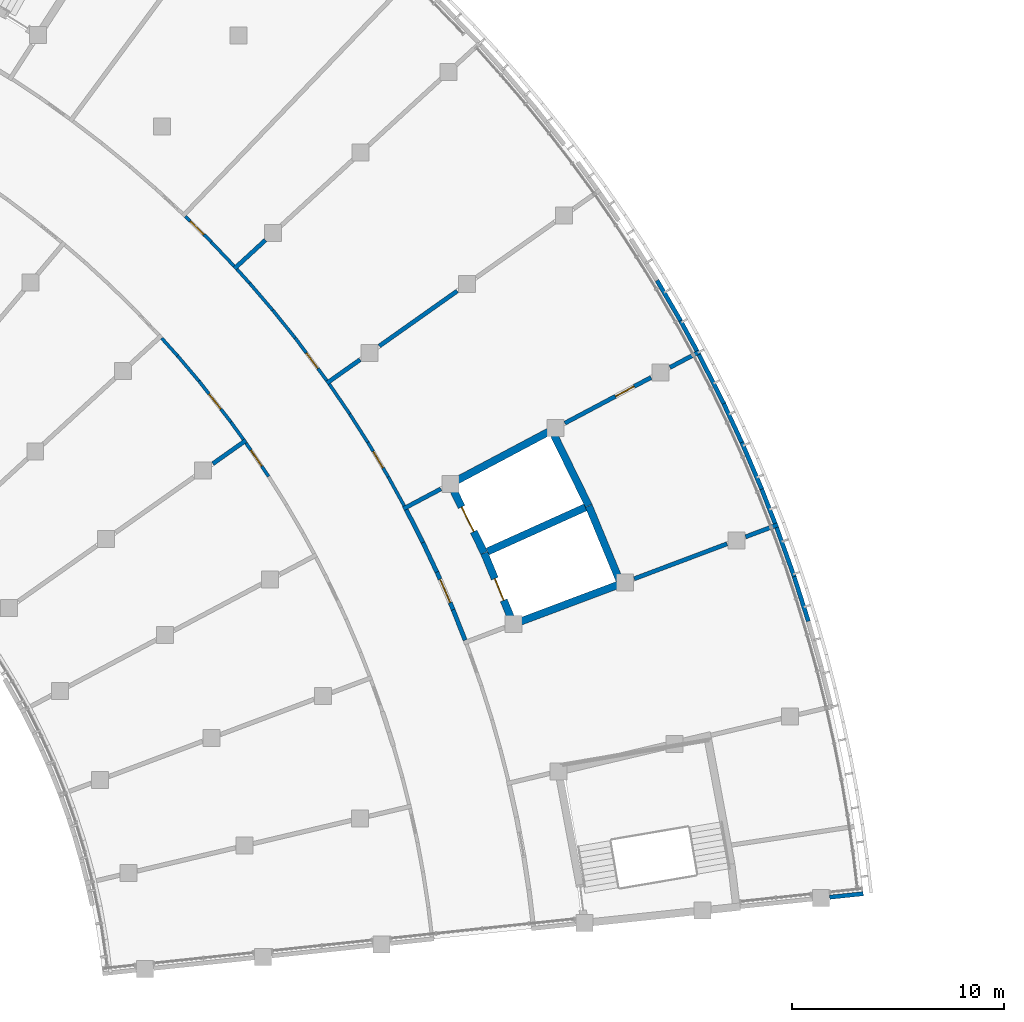
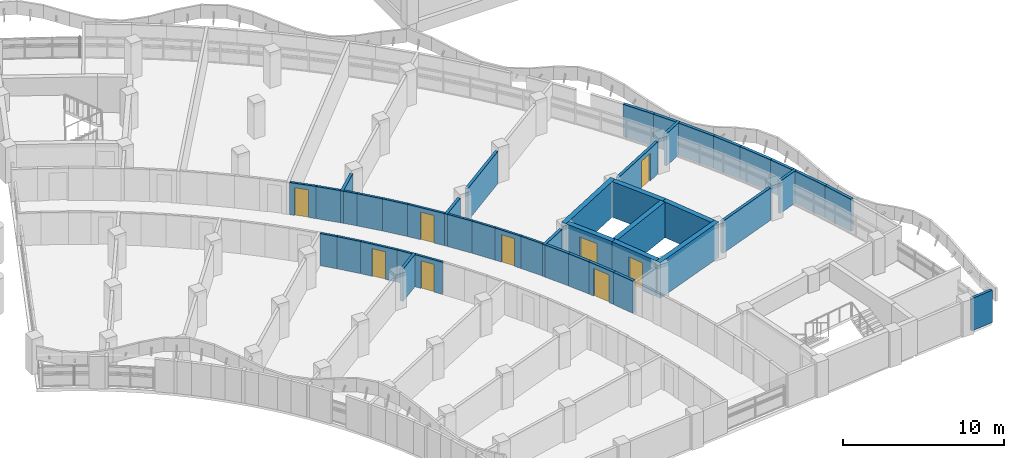
# One storey, part 53 of 89: 44 walls, 9 doors, 9 openings.
"""IFC4 building model written with IfcOpenShell, lengths in metres."""

from ifc_helpers import new_model, si_unit, direction, frame, frame_2d, origin, place, context, subcontext, project, spatial, rectangle, extrude, material, layer, layer_set, type_object, element, fill, save


model = new_model("IFC4")

# Units and contexts
model_context = context("Model", 3, precision=1e-05, world=origin(), true_north=direction((0.0, 1.0)))
body_context = subcontext(model_context, "Body", "Model", "MODEL_VIEW")
ifc_project = project(units=[si_unit("LENGTHUNIT", "METRE"), si_unit("AREAUNIT", "SQUARE_METRE"), si_unit("VOLUMEUNIT", "CUBIC_METRE"), si_unit("PLANEANGLEUNIT", "RADIAN"), si_unit("MASSUNIT", "GRAM", prefix="KILO")], contexts=[model_context])

# Site, building, storey
site_placement = place(None, origin())
site = spatial("IfcSite", under=ifc_project, at=site_placement, CompositionType="ELEMENT")
building_placement = place(site_placement, origin())
building = spatial("IfcBuilding", under=site, at=building_placement, Name="Bougainvillea Quay General Hospital", CompositionType="ELEMENT")
storey_placement = place(building_placement, frame((0.0, 0.0, 9.89990234375)))
storey = spatial("IfcBuildingStorey", under=building, at=storey_placement, Name="L01M", CompositionType="ELEMENT", Elevation=9.89990234375)

# Wall, opening, door
ifc_material_1 = material(Name="Gypsum board partition on steel studs, insulated", Category="steel")
ifc_layer_1 = layer(ifc_material_1, 0.14990234375)
ifc_layer_set_1 = layer_set([ifc_layer_1], Name="Gypsum board partition on steel studs, insulated")
wall_type_1 = type_object("IfcWallType", Name="Partition 150 Gypsum board partition EI 60", PredefinedType="PARTITIONING", material=ifc_layer_set_1)
wall_1_placement = place(storey_placement, frame((152.076416015625, 55.484130859375, 0.0), z_axis=(0.0, 0.0, 1.0), x_axis=(0.595818468786, -0.803119139514, 0.0)))
wall_1 = element("IfcWall", 1, at=wall_1_placement, inside=storey, type_object=wall_type_1, Name="Partition 150 mm EI 60", PredefinedType="PARTITIONING", context=body_context, shape_type="SweptSolid", body=[
    extrude(rectangle(XDim=2.4990234375, YDim=0.14990234375, at=frame_2d((1.24951171875, 0.0))), origin(), (0.0, 0.0, 1.0), 2.4501953125),
])
opening_1_placement = place(wall_1_placement, frame((0.88623046875, 0.0, 0.0)))
opening_1 = element("IfcOpeningElement", 2, at=opening_1_placement, cuts=wall_1, Name="Opening L01M.190", PredefinedType="OPENING", context=body_context, shape_type="SweptSolid", body=[
    extrude(rectangle(XDim=0.89990234375, YDim=2.10009765625, at=frame_2d((0.449951171875, 1.050048828125))), frame((0.0, 0.0849609375, 0.0), z_axis=(0.0, -1.0, 0.0), x_axis=(1.0, 0.0, 0.0)), (0.0, 0.0, 1.0), 0.169921875),
])
ifc_material_2 = material(Name="Solid-core timber door leaf in steel frame", Category="steel")
door_type_1 = type_object("IfcDoorType", Name="Single leaf door 900x2100 FD30S", OperationType="NOTDEFINED", PredefinedType="DOOR", material=ifc_material_2)
door_1_placement = place(opening_1_placement, origin())
door_1 = element("IfcDoor", 3, at=door_1_placement, inside=storey, type_object=door_type_1, Name="DT16 L01M.190", OperationType="SINGLE_SWING_RIGHT", OverallHeight=2.10009765625, OverallWidth=0.89990234375, PredefinedType="DOOR", context=body_context, shape_type="SweptSolid", body=[
    extrude(rectangle(XDim=0.89990234375, YDim=2.10009765625, at=frame_2d((0.449951171875, 1.050048828125))), frame((0.0, 0.02490234375, 0.0), z_axis=(0.0, -1.0, 0.0), x_axis=(1.0, 0.0, 0.0)), (0.0, 0.0, 1.0), 0.050048828125),
])
fill(opening_1, door_1)

wall_2_placement = place(storey_placement, frame((147.5419921875, 53.462158203125, 0.0), z_axis=(0.0, 0.0, 1.0), x_axis=(0.614656813444, -0.788794651153, 0.0)))
wall_2 = element("IfcWall", 4, at=wall_2_placement, inside=storey, type_object=wall_type_1, Name="Partition 150 mm EI 60", PredefinedType="PARTITIONING", context=body_context, shape_type="SweptSolid", body=[
    extrude(rectangle(XDim=2.45361328125, YDim=0.14990234375, at=frame_2d((1.226806640625, 0.0))), origin(), (0.0, 0.0, 1.0), 2.4501953125),
])
opening_2_placement = place(wall_2_placement, frame((0.77685546875, 0.0, 0.0)))
opening_2 = element("IfcOpeningElement", 5, at=opening_2_placement, cuts=wall_2, Name="Opening L01M.196", PredefinedType="OPENING", context=body_context, shape_type="SweptSolid", body=[
    extrude(rectangle(XDim=0.89990234375, YDim=2.10009765625, at=frame_2d((0.449951171875, 1.050048828125))), frame((0.0, 0.0849609375, 0.0), z_axis=(0.0, -1.0, 0.0), x_axis=(1.0, 0.0, 0.0)), (0.0, 0.0, 1.0), 0.169921875),
])
door_2_placement = place(opening_2_placement, frame((0.89990234375, 0.0, 0.0), z_axis=(0.0, 0.0, 1.0), x_axis=(-1.0, 0.0, 0.0)))
door_2 = element("IfcDoor", 6, at=door_2_placement, inside=storey, type_object=door_type_1, Name="DT16 L01M.196", OperationType="SINGLE_SWING_RIGHT", OverallHeight=2.10009765625, OverallWidth=0.89990234375, PredefinedType="DOOR", context=body_context, shape_type="SweptSolid", body=[
    extrude(rectangle(XDim=0.89990234375, YDim=2.10009765625, at=frame_2d((0.449951171875, 1.050048828125))), frame((0.0, 0.02490234375, 0.0), z_axis=(0.0, -1.0, 0.0), x_axis=(1.0, 0.0, 0.0)), (0.0, 0.0, 1.0), 0.050048828125),
])
fill(opening_2, door_2)

wall_3_placement = place(storey_placement, frame((149.757080078125, 50.5400390625, 0.0), z_axis=(0.0, 0.0, 1.0), x_axis=(0.561748993102, -0.827307723129, 0.0)))
wall_3 = element("IfcWall", 7, at=wall_3_placement, inside=storey, type_object=wall_type_1, Name="Partition 150 mm EI 60", PredefinedType="PARTITIONING", context=body_context, shape_type="SweptSolid", body=[
    extrude(rectangle(XDim=1.90478515625, YDim=0.14990234375, at=frame_2d((0.952392578125, 0.0))), origin(), (0.0, 0.0, 1.0), 2.4501953125),
])
opening_3_placement = place(wall_3_placement, frame((0.414306640625, 0.0, 0.0)))
opening_3 = element("IfcOpeningElement", 8, at=opening_3_placement, cuts=wall_3, Name="Opening L01M.197", PredefinedType="OPENING", context=body_context, shape_type="SweptSolid", body=[
    extrude(rectangle(XDim=0.89990234375, YDim=2.10009765625, at=frame_2d((0.449951171875, 1.050048828125))), frame((0.0, 0.0849609375, 0.0), z_axis=(0.0, -1.0, 0.0), x_axis=(1.0, 0.0, 0.0)), (0.0, 0.0, 1.0), 0.169921875),
])
door_3_placement = place(opening_3_placement, frame((0.89990234375, 0.0, 0.0), z_axis=(0.0, 0.0, 1.0), x_axis=(-1.0, 0.0, 0.0)))
door_3 = element("IfcDoor", 9, at=door_3_placement, inside=storey, type_object=door_type_1, Name="DT16 L01M.197", OperationType="SINGLE_SWING_RIGHT", OverallHeight=2.10009765625, OverallWidth=0.89990234375, PredefinedType="DOOR", context=body_context, shape_type="SweptSolid", body=[
    extrude(rectangle(XDim=0.89990234375, YDim=2.10009765625, at=frame_2d((0.449951171875, 1.050048828125))), frame((0.0, 0.02490234375, 0.0), z_axis=(0.0, -1.0, 0.0), x_axis=(1.0, 0.0, 0.0)), (0.0, 0.0, 1.0), 0.050048828125),
])
fill(opening_3, door_3)

wall_4_placement = place(storey_placement, frame((155.497802734375, 50.56640625, 0.0), z_axis=(0.0, 0.0, 1.0), x_axis=(0.510320389621, -0.859984360287, 0.0)))
wall_4 = element("IfcWall", 10, at=wall_4_placement, inside=storey, type_object=wall_type_1, Name="Partition 150 mm EI 60", PredefinedType="PARTITIONING", context=body_context, shape_type="SweptSolid", body=[
    extrude(rectangle(XDim=1.885986328125, YDim=0.14990234375, at=frame_2d((0.94287109375, 0.0))), origin(), (0.0, 0.0, 1.0), 2.4501953125),
])
opening_4_placement = place(wall_4_placement, frame((0.4931640625, 0.0, 0.0)))
opening_4 = element("IfcOpeningElement", 11, at=opening_4_placement, cuts=wall_4, Name="Opening L01M.191", PredefinedType="OPENING", context=body_context, shape_type="SweptSolid", body=[
    extrude(rectangle(XDim=0.89990234375, YDim=2.10009765625, at=frame_2d((0.449951171875, 1.050048828125))), frame((0.0, 0.0849609375, 0.0), z_axis=(0.0, -1.0, 0.0), x_axis=(1.0, 0.0, 0.0)), (0.0, 0.0, 1.0), 0.169921875),
])
door_4_placement = place(opening_4_placement, origin())
door_4 = element("IfcDoor", 12, at=door_4_placement, inside=storey, type_object=door_type_1, Name="DT16 L01M.191", OperationType="SINGLE_SWING_LEFT", OverallHeight=2.10009765625, OverallWidth=0.89990234375, PredefinedType="DOOR", context=body_context, shape_type="SweptSolid", body=[
    extrude(rectangle(XDim=0.89990234375, YDim=2.10009765625, at=frame_2d((0.449951171875, 1.050048828125))), frame((0.0, 0.02490234375, 0.0), z_axis=(0.0, -1.0, 0.0), x_axis=(1.0, 0.0, 0.0)), (0.0, 0.0, 1.0), 0.050048828125),
])
fill(opening_4, door_4)

wall_5_placement = place(storey_placement, frame((146.9091796875, 61.20751953125, 0.0), z_axis=(0.0, 0.0, 1.0), x_axis=(0.710804367191, -0.703389757945, 0.0)))
wall_5 = element("IfcWall", 13, at=wall_5_placement, inside=storey, type_object=wall_type_1, Name="Partition 150 mm EI 60", PredefinedType="PARTITIONING", context=body_context, shape_type="SweptSolid", body=[
    extrude(rectangle(XDim=1.712158203125, YDim=0.14990234375, at=frame_2d((0.85595703125, 0.0))), origin(), (0.0, 0.0, 1.0), 2.4501953125),
])
opening_5_placement = place(wall_5_placement, frame((0.319091796875, 0.0, 0.0)))
opening_5 = element("IfcOpeningElement", 14, at=opening_5_placement, cuts=wall_5, Name="Opening L01M.189", PredefinedType="OPENING", context=body_context, shape_type="SweptSolid", body=[
    extrude(rectangle(XDim=0.89990234375, YDim=2.10009765625, at=frame_2d((0.449951171875, 1.050048828125))), frame((0.0, 0.0849609375, 0.0), z_axis=(0.0, -1.0, 0.0), x_axis=(1.0, 0.0, 0.0)), (0.0, 0.0, 1.0), 0.169921875),
])
door_5_placement = place(opening_5_placement, origin())
door_5 = element("IfcDoor", 15, at=door_5_placement, inside=storey, type_object=door_type_1, Name="DT16 L01M.189", OperationType="SINGLE_SWING_LEFT", OverallHeight=2.10009765625, OverallWidth=0.89990234375, PredefinedType="DOOR", context=body_context, shape_type="SweptSolid", body=[
    extrude(rectangle(XDim=0.89990234375, YDim=2.10009765625, at=frame_2d((0.449951171875, 1.050048828125))), frame((0.0, 0.02490234375, 0.0), z_axis=(0.0, -1.0, 0.0), x_axis=(1.0, 0.0, 0.0)), (0.0, 0.0, 1.0), 0.050048828125),
])
fill(opening_5, door_5)

# Walls
wall_6_placement = place(storey_placement, frame((153.6796875, 53.31640625, 0.0), z_axis=(0.0, 0.0, 1.0), x_axis=(0.564111097148, -0.825698897949, 0.0)))
element("IfcWall", 16, at=wall_6_placement, inside=storey, type_object=wall_type_1, Name="Partition 150 mm EI 60", PredefinedType="PARTITIONING", context=body_context, shape_type="SweptSolid", body=[
    extrude(rectangle(XDim=1.711669921875, YDim=0.14990234375, at=frame_2d((0.85595703125, 0.0))), origin(), (0.0, 0.0, 1.0), 2.4501953125),
])
wall_7_placement = place(storey_placement, frame((156.45703125, 48.9453125, 0.0), z_axis=(0.0, 0.0, 1.0), x_axis=(0.482411223267, -0.875944867937, 0.0)))
element("IfcWall", 17, at=wall_7_placement, inside=storey, type_object=wall_type_1, Name="Partition 150 mm EI 60", PredefinedType="PARTITIONING", context=body_context, shape_type="SweptSolid", body=[
    extrude(rectangle(XDim=1.560302734375, YDim=0.14990234375, at=frame_2d((0.7802734375, 0.0))), origin(), (0.0, 0.0, 1.0), 2.4501953125),
])
wall_8_placement = place(storey_placement, frame((154.64208984375, 51.90380859375, 0.0), z_axis=(0.0, 0.0, 1.0), x_axis=(0.537610565613, -0.843193263577, 0.0)))
element("IfcWall", 18, at=wall_8_placement, inside=storey, type_object=wall_type_1, Name="Partition 150 mm EI 60", PredefinedType="PARTITIONING", context=body_context, shape_type="SweptSolid", body=[
    extrude(rectangle(XDim=1.58984375, YDim=0.14990234375, at=frame_2d((0.794921875, 0.0))), origin(), (0.0, 0.0, 1.0), 2.4501953125),
])
wall_9_placement = place(storey_placement, frame((148.123046875, 60.003173828125, 0.0), z_axis=(0.0, 0.0, 1.0), x_axis=(0.68812134952, -0.72559562315, 0.0)))
element("IfcWall", 19, at=wall_9_placement, inside=storey, type_object=wall_type_1, Name="Partition 150 mm EI 60", PredefinedType="PARTITIONING", context=body_context, shape_type="SweptSolid", body=[
    extrude(rectangle(XDim=1.5634765625, YDim=0.14990234375, at=frame_2d((0.78173828125, 0.0))), origin(), (0.0, 0.0, 1.0), 2.4501953125),
])
wall_10_placement = place(storey_placement, frame((151.01904296875, 56.79443359375, 0.0), z_axis=(0.0, 0.0, 1.0), x_axis=(0.62660001974, -0.779341013461, 0.0)))
element("IfcWall", 20, at=wall_10_placement, inside=storey, type_object=wall_type_1, Name="Partition 150 mm EI 60", PredefinedType="PARTITIONING", context=body_context, shape_type="SweptSolid", body=[
    extrude(rectangle(XDim=1.686279296875, YDim=0.14990234375, at=frame_2d((0.84326171875, 0.0))), origin(), (0.0, 0.0, 1.0), 2.4501953125),
])
wall_11_placement = place(storey_placement, frame((149.923095703125, 58.071044921875, 0.0), z_axis=(0.0, 0.0, 1.0), x_axis=(0.650361650063, -0.759624725853, 0.0)))
element("IfcWall", 21, at=wall_11_placement, inside=storey, type_object=wall_type_1, Name="Partition 150 mm EI 60", PredefinedType="PARTITIONING", context=body_context, shape_type="SweptSolid", body=[
    extrude(rectangle(XDim=1.684814453125, YDim=0.14990234375, at=frame_2d((0.84228515625, 0.0))), origin(), (0.0, 0.0, 1.0), 2.4501953125),
])
wall_12_placement = place(storey_placement, frame((146.53369140625, 54.6513671875, 0.0), z_axis=(0.0, 0.0, 1.0), x_axis=(0.645213258062, -0.76400252069, 0.0)))
element("IfcWall", 22, at=wall_12_placement, inside=storey, type_object=wall_type_1, Name="Partition 150 mm EI 60", PredefinedType="PARTITIONING", context=body_context, shape_type="SweptSolid", body=[
    extrude(rectangle(XDim=1.56201171875, YDim=0.14990234375, at=frame_2d((0.781005859375, 0.0))), origin(), (0.0, 0.0, 1.0), 2.4501953125),
])
wall_13_placement = place(storey_placement, frame((145.79443359375, 55.470947265625, 0.0), z_axis=(0.0, 0.0, 1.0), x_axis=(0.668232614963, -0.743952399216, 0.0)))
element("IfcWall", 23, at=wall_13_placement, inside=storey, type_object=wall_type_1, Name="Partition 150 mm EI 60", PredefinedType="PARTITIONING", context=body_context, shape_type="SweptSolid", body=[
    extrude(rectangle(XDim=1.10595703125, YDim=0.14990234375, at=frame_2d((0.552978515625, 0.0))), origin(), (0.0, 0.0, 1.0), 2.4501953125),
])
wall_14_placement = place(storey_placement, frame((149.04638671875, 51.52734375, 0.0), z_axis=(0.0, 0.0, 1.0), x_axis=(0.586237474649, -0.810139261681, 0.0)))
element("IfcWall", 24, at=wall_14_placement, inside=storey, type_object=wall_type_1, Name="Partition 150 mm EI 60", PredefinedType="PARTITIONING", context=body_context, shape_type="SweptSolid", body=[
    extrude(rectangle(XDim=1.01416015625, YDim=0.14990234375, at=frame_2d((0.507080078125, 0.0))), origin(), (0.0, 0.0, 1.0), 2.4501953125),
])
wall_15_placement = place(storey_placement, frame((149.33447265625, 58.72216796875, 0.0), z_axis=(0.0, 0.0, 1.0), x_axis=(0.669087380842, -0.743183743631, 0.0)))
element("IfcWall", 25, at=wall_15_placement, inside=storey, type_object=wall_type_1, Name="Partition 150 mm EI 60", PredefinedType="PARTITIONING", context=body_context, shape_type="SweptSolid", body=[
    extrude(rectangle(XDim=0.879638671875, YDim=0.14990234375, at=frame_2d((0.43994140625, 0.0))), origin(), (0.0, 0.0, 1.0), 2.4501953125),
])
ifc_material_3 = material(Name="Fire-rated autoclaved aerated block wall, plastered")
ifc_layer_2 = layer(ifc_material_3, 0.199951171875)
ifc_layer_set_2 = layer_set([ifc_layer_2], Name="Fire-rated autoclaved aerated block wall, plastered")
wall_type_2 = type_object("IfcWallType", Name="Partition 200 Fire-rated autoclaved aerated block wall EI 120", PredefinedType="SOLIDWALL", material=ifc_layer_set_2)
wall_16_placement = place(storey_placement, frame((157.170654296875, 47.442138671875, 0.0), z_axis=(0.0, 0.0, 1.0), x_axis=(0.883475149074, 0.468478026133, 0.0)))
element("IfcWall", 26, at=wall_16_placement, inside=storey, type_object=wall_type_2, Name="Partition 200 mm EI 120", PredefinedType="SOLIDWALL", context=body_context, shape_type="SweptSolid", body=[
    extrude(rectangle(XDim=1.994873046875, YDim=0.199951171875, at=frame_2d((0.99755859375, 0.0))), origin(), (0.0, 0.0, 1.0), 2.4501953125),
])

# Wall, opening, door
wall_17_placement = place(storey_placement, frame((158.747314453125, 44.46484375, 0.0), z_axis=(0.0, 0.0, 1.0), x_axis=(0.396322487651, -0.918111368943, 0.0)))
wall_17 = element("IfcWall", 27, at=wall_17_placement, inside=storey, type_object=wall_type_2, Name="Partition 200 mm EI 120", PredefinedType="SOLIDWALL", context=body_context, shape_type="SweptSolid", body=[
    extrude(rectangle(XDim=1.93603515625, YDim=0.199951171875, at=frame_2d((0.968017578125, 0.0))), origin(), (0.0, 0.0, 1.0), 2.4501953125),
])
opening_6_placement = place(wall_17_placement, frame((0.3681640625, 0.0, 0.0)))
opening_6 = element("IfcOpeningElement", 28, at=opening_6_placement, cuts=wall_17, Name="Opening L01M.170", PredefinedType="OPENING", context=body_context, shape_type="SweptSolid", body=[
    extrude(rectangle(XDim=1.199951171875, YDim=2.10009765625, at=frame_2d((0.60009765625, 1.050048828125))), frame((0.0, 0.10986328125, 0.0), z_axis=(0.0, -1.0, 0.0), x_axis=(1.0, 0.0, 0.0)), (0.0, 0.0, 1.0), 0.219970703125),
])
door_type_2 = type_object("IfcDoorType", Name="Single leaf door 1200x2100 FD60", OperationType="NOTDEFINED", PredefinedType="DOOR", material=ifc_material_2)
door_6_placement = place(opening_6_placement, origin())
door_6 = element("IfcDoor", 29, at=door_6_placement, inside=storey, type_object=door_type_2, Name="DT12 L01M.170", OperationType="SINGLE_SWING_LEFT", OverallHeight=2.10009765625, OverallWidth=1.199951171875, PredefinedType="DOOR", context=body_context, shape_type="SweptSolid", body=[
    extrude(rectangle(XDim=1.199951171875, YDim=2.10009765625, at=frame_2d((0.60009765625, 1.050048828125))), frame((0.0, 0.02490234375, 0.0), z_axis=(0.0, -1.0, 0.0), x_axis=(1.0, 0.0, 0.0)), (0.0, 0.0, 1.0), 0.050048828125),
])
fill(opening_6, door_6)

# Walls
wall_18_placement = place(storey_placement, frame((157.30517578125, 47.398681640625, 0.0), z_axis=(0.0, 0.0, 1.0), x_axis=(0.454575201636, -0.890708361955, 0.0)))
element("IfcWall", 30, at=wall_18_placement, inside=storey, type_object=wall_type_2, Name="Partition 200 mm EI 120", PredefinedType="SOLIDWALL", context=body_context, shape_type="SweptSolid", body=[
    extrude(rectangle(XDim=1.734130859375, YDim=0.199951171875, at=frame_2d((0.8671875, 0.0))), origin(), (0.0, 0.0, 1.0), 2.4501953125),
])
wall_19_placement = place(storey_placement, frame((158.08935546875, 45.855224609375, 0.0), z_axis=(0.0, 0.0, 1.0), x_axis=(0.42579703633, -0.904818702201, 0.0)))
element("IfcWall", 31, at=wall_19_placement, inside=storey, type_object=wall_type_2, Name="Partition 200 mm EI 120", PredefinedType="SOLIDWALL", context=body_context, shape_type="SweptSolid", body=[
    extrude(rectangle(XDim=1.541259765625, YDim=0.199951171875, at=frame_2d((0.7705078125, 0.0))), origin(), (0.0, 0.0, 1.0), 2.4501953125),
])
wall_20_placement = place(storey_placement, frame((159.510498046875, 42.688720703125, 0.0), z_axis=(0.0, 0.0, 1.0), x_axis=(0.367195475631, -0.930143796773, 0.0)))
element("IfcWall", 32, at=wall_20_placement, inside=storey, type_object=wall_type_2, Name="Partition 200 mm EI 120", PredefinedType="SOLIDWALL", context=body_context, shape_type="SweptSolid", body=[
    extrude(rectangle(XDim=1.53662109375, YDim=0.199951171875, at=frame_2d((0.768310546875, 0.0))), origin(), (0.0, 0.0, 1.0), 2.4501953125),
])
ifc_layer_3 = layer(ifc_material_3, 0.199951171875)
ifc_layer_set_3 = layer_set([ifc_layer_3], Name="Fire-rated autoclaved aerated block wall, plastered")
wall_type_3 = type_object("IfcWallType", Name="Partition 200 Fire-rated autoclaved aerated block wall EI 60", PredefinedType="SOLIDWALL", material=ifc_layer_set_3)
wall_21_placement = place(storey_placement, frame((148.198486328125, 49.56298828125, 0.0), z_axis=(0.0, 0.0, 1.0), x_axis=(0.816688430067, 0.577078857865, 0.0)))
element("IfcWall", 33, at=wall_21_placement, inside=storey, type_object=wall_type_3, Name="Partition 200 mm EI 60", PredefinedType="SOLIDWALL", context=body_context, shape_type="SweptSolid", body=[
    extrude(rectangle(XDim=1.91357421875, YDim=0.199951171875, at=frame_2d((0.956787109375, 0.0))), origin(), (0.0, 0.0, 1.0), 2.4501953125),
])
wall_22_placement = place(storey_placement, frame((149.2119140625, 58.746337890625, 0.0), z_axis=(0.0, 0.0, 1.0), x_axis=(0.736471250412, 0.676468844306, 0.0)))
element("IfcWall", 34, at=wall_22_placement, inside=storey, type_object=wall_type_3, Name="Partition 200 mm EI 60", PredefinedType="SOLIDWALL", context=body_context, shape_type="SweptSolid", body=[
    extrude(rectangle(XDim=1.98974609375, YDim=0.199951171875, at=frame_2d((0.994873046875, 0.0))), origin(), (0.0, 0.0, 1.0), 2.4501953125),
])
wall_23_placement = place(storey_placement, frame((153.562744140625, 53.354736328125, 0.0), z_axis=(0.0, 0.0, 1.0), x_axis=(0.816661187048, 0.577117410558, 0.0)))
element("IfcWall", 35, at=wall_23_placement, inside=storey, type_object=wall_type_3, Name="Partition 200 mm EI 60", PredefinedType="SOLIDWALL", context=body_context, shape_type="SweptSolid", body=[
    extrude(rectangle(XDim=1.920166015625, YDim=0.199951171875, at=frame_2d((0.9599609375, 0.0))), origin(), (0.0, 0.0, 1.0), 2.4501953125),
])
wall_24_placement = place(storey_placement, frame((156.0361328125, 55.10302734375, 0.0), z_axis=(0.0, 0.0, 1.0), x_axis=(0.816634904938, 0.57715459977, 0.0)))
element("IfcWall", 36, at=wall_24_placement, inside=storey, type_object=wall_type_3, Name="Partition 200 mm EI 60", PredefinedType="SOLIDWALL", context=body_context, shape_type="SweptSolid", body=[
    extrude(rectangle(XDim=4.49267578125, YDim=0.199951171875, at=frame_2d((2.246337890625, 0.0))), origin(), (0.0, 0.0, 1.0), 2.4501953125),
])
wall_25_placement = place(storey_placement, frame((168.033447265625, 44.14697265625, 0.0), z_axis=(0.0, 0.0, 1.0), x_axis=(0.935873083575, 0.352337297826, 0.0)))
element("IfcWall", 37, at=wall_25_placement, inside=storey, type_object=wall_type_3, Name="Partition 200 mm EI 60", PredefinedType="SOLIDWALL", context=body_context, shape_type="SweptSolid", body=[
    extrude(rectangle(XDim=4.671630859375, YDim=0.199951171875, at=frame_2d((2.3359375, 0.0))), origin(), (0.0, 0.0, 1.0), 2.4501953125),
])
wall_26_placement = place(storey_placement, frame((173.2744140625, 46.1201171875, 0.0), z_axis=(0.0, 0.0, 1.0), x_axis=(0.9359160175, 0.352223236296, 0.0)))
element("IfcWall", 38, at=wall_26_placement, inside=storey, type_object=wall_type_3, Name="Partition 200 mm EI 60", PredefinedType="SOLIDWALL", context=body_context, shape_type="SweptSolid", body=[
    extrude(rectangle(XDim=1.629638671875, YDim=0.199951171875, at=frame_2d((0.81494140625, 0.0))), origin(), (0.0, 0.0, 1.0), 2.4501953125),
])

# Wall, opening, door
wall_27_placement = place(storey_placement, frame((164.77294921875, 51.474365234375, 0.0), z_axis=(0.0, 0.0, 1.0), x_axis=(0.883491454613, 0.468447275182, 0.0)))
wall_27 = element("IfcWall", 39, at=wall_27_placement, inside=storey, type_object=wall_type_3, Name="Partition 200 mm EI 60", PredefinedType="SOLIDWALL", context=body_context, shape_type="SweptSolid", body=[
    extrude(rectangle(XDim=4.58984375, YDim=0.199951171875, at=frame_2d((2.294921875, 0.0))), origin(), (0.0, 0.0, 1.0), 2.4501953125),
])
opening_7_placement = place(wall_27_placement, frame((2.69091796875, 0.0, 0.0)))
opening_7 = element("IfcOpeningElement", 40, at=opening_7_placement, cuts=wall_27, Name="Opening L01M.203", PredefinedType="OPENING", context=body_context, shape_type="SweptSolid", body=[
    extrude(rectangle(XDim=1.0, YDim=2.10009765625, at=frame_2d((0.5, 1.050048828125))), frame((0.0, 0.10986328125, 0.0), z_axis=(0.0, -1.0, 0.0), x_axis=(1.0, 0.0, 0.0)), (0.0, 0.0, 1.0), 0.219970703125),
])
door_type_3 = type_object("IfcDoorType", Name="Single leaf door 1000x2100 FD60", OperationType="NOTDEFINED", PredefinedType="DOOR", material=ifc_material_2)
door_7_placement = place(opening_7_placement, frame((1.0, 0.0, 0.0), z_axis=(0.0, 0.0, 1.0), x_axis=(-1.0, 0.0, 0.0)))
door_7 = element("IfcDoor", 41, at=door_7_placement, inside=storey, type_object=door_type_3, Name="DT14 L01M.203", OperationType="SINGLE_SWING_LEFT", OverallHeight=2.10009765625, OverallWidth=1.0, PredefinedType="DOOR", context=body_context, shape_type="SweptSolid", body=[
    extrude(rectangle(XDim=1.0, YDim=2.10009765625, at=frame_2d((0.5, 1.050048828125))), frame((0.0, 0.02490234375, 0.0), z_axis=(0.0, -1.0, 0.0), x_axis=(1.0, 0.0, 0.0)), (0.0, 0.0, 1.0), 0.050048828125),
])
fill(opening_7, door_7)

# Walls
for number, where, z_axis, x_axis, name in (
    (42, (169.719970703125, 54.09716796875, 0.0), (0.0, 0.0, 1.0), (0.883465960298, 0.468495354294, 0.0), "Partition 200 mm EI 60"),
    (43, (177.2373046875, 29.15576171875, 0.0), (0.0, 0.0, 1.0), (0.994499551994, 0.104740828164, 0.0), "Partition 200 mm EI 60"),
):
    element("IfcWall", number, at=place(storey_placement, frame(where, z_axis=z_axis, x_axis=x_axis)), inside=storey, type_object=wall_type_3, Name=name, PredefinedType="SOLIDWALL", context=body_context, shape_type="SweptSolid", body=[
        extrude(rectangle(XDim=1.58740234375, YDim=0.199951171875, at=frame_2d((0.793701171875, 0.0))), origin(), (0.0, 0.0, 1.0), 2.4501953125),
    ])
wall_28_placement = place(storey_placement, frame((171.080078125, 54.703369140625, 0.0), z_axis=(0.0, 0.0, 1.0), x_axis=(0.453071901169, -0.891473977394, 0.0)))
element("IfcWall", 44, at=wall_28_placement, inside=storey, type_object=wall_type_3, Name="Partition 200 mm EI 60", PredefinedType="SOLIDWALL", context=body_context, shape_type="SweptSolid", body=[
    extrude(rectangle(XDim=2.59619140625, YDim=0.199951171875, at=frame_2d((1.298095703125, 0.0))), origin(), (0.0, 0.0, 1.0), 2.4501953125),
])
wall_29_placement = place(storey_placement, frame((174.740234375, 46.563232421875, 0.0), z_axis=(0.0, 0.0, 1.0), x_axis=(0.33685697068, -0.941555830158, 0.0)))
element("IfcWall", 45, at=wall_29_placement, inside=storey, type_object=wall_type_3, Name="Partition 200 mm EI 60", PredefinedType="SOLIDWALL", context=body_context, shape_type="SweptSolid", body=[
    extrude(rectangle(XDim=2.465576171875, YDim=0.199951171875, at=frame_2d((1.23291015625, 0.0))), origin(), (0.0, 0.0, 1.0), 2.4501953125),
])
wall_30_placement = place(storey_placement, frame((173.0986328125, 50.574951171875, 0.0), z_axis=(0.0, 0.0, 1.0), x_axis=(0.392630236763, -0.91969641577, 0.0)))
element("IfcWall", 46, at=wall_30_placement, inside=storey, type_object=wall_type_3, Name="Partition 200 mm EI 60", PredefinedType="SOLIDWALL", context=body_context, shape_type="SweptSolid", body=[
    extrude(rectangle(XDim=2.40087890625, YDim=0.199951171875, at=frame_2d((1.200439453125, 0.0))), origin(), (0.0, 0.0, 1.0), 2.4501953125),
])
for number, where, z_axis, x_axis, name in (
    (47, (169.10791015625, 58.193359375, 0.0), (0.0, 0.0, 1.0), (0.505310012555, -0.862937883751, 0.0), "Partition 200 mm EI 60"),
    (48, (175.56640625, 44.243896484375, 0.0), (0.0, 0.0, 1.0), (0.304438045887, -0.952532139204, 0.0), "Partition 200 mm EI 60"),
):
    element("IfcWall", number, at=place(storey_placement, frame(where, z_axis=z_axis, x_axis=x_axis)), inside=storey, type_object=wall_type_3, Name=name, PredefinedType="SOLIDWALL", context=body_context, shape_type="SweptSolid", body=[
        extrude(rectangle(XDim=2.20361328125, YDim=0.199951171875, at=frame_2d((1.101806640625, 0.0))), origin(), (0.0, 0.0, 1.0), 2.4501953125),
    ])
wall_31_placement = place(storey_placement, frame((172.251708984375, 52.390380859375, 0.0), z_axis=(0.0, 0.0, 1.0), x_axis=(0.421379419174, -0.906884438667, 0.0)))
element("IfcWall", 49, at=wall_31_placement, inside=storey, type_object=wall_type_3, Name="Partition 200 mm EI 60", PredefinedType="SOLIDWALL", context=body_context, shape_type="SweptSolid", body=[
    extrude(rectangle(XDim=2.00634765625, YDim=0.199951171875, at=frame_2d((1.003173828125, 0.0))), origin(), (0.0, 0.0, 1.0), 2.4501953125),
])
wall_32_placement = place(storey_placement, frame((174.037353515625, 48.36865234375, 0.0), z_axis=(0.0, 0.0, 1.0), x_axis=(0.364293197487, -0.931284310114, 0.0)))
element("IfcWall", 50, at=wall_32_placement, inside=storey, type_object=wall_type_3, Name="Partition 200 mm EI 60", PredefinedType="SOLIDWALL", context=body_context, shape_type="SweptSolid", body=[
    extrude(rectangle(XDim=1.734375, YDim=0.199951171875, at=frame_2d((0.8671875, 0.0))), origin(), (0.0, 0.0, 1.0), 2.4501953125),
])
wall_33_placement = place(storey_placement, frame((170.21728515625, 56.292724609375, 0.0), z_axis=(0.0, 0.0, 1.0), x_axis=(0.478500537787, -0.878087259523, 0.0)))
element("IfcWall", 51, at=wall_33_placement, inside=storey, type_object=wall_type_3, Name="Partition 200 mm EI 60", PredefinedType="SOLIDWALL", context=body_context, shape_type="SweptSolid", body=[
    extrude(rectangle(XDim=1.605712890625, YDim=0.199951171875, at=frame_2d((0.802734375, 0.0))), origin(), (0.0, 0.0, 1.0), 2.4501953125),
])
ifc_material_4 = material(Name="Concrete C40", Category="concrete")
ifc_layer_4 = layer(ifc_material_4, 0.35009765625)
ifc_layer_set_4 = layer_set([ifc_layer_4], Name="Concrete C40")
wall_type_4 = type_object("IfcWallType", Name="RC SHEAR WALL 350 C40", PredefinedType="SHEAR", material=ifc_layer_set_4)
wall_34_placement = place(storey_placement, frame((159.224365234375, 48.531005859375, 0.0), z_axis=(0.0, 0.0, 1.0), x_axis=(0.883393138637, 0.468632652094, 0.0)))
element("IfcWall", 52, at=wall_34_placement, inside=storey, type_object=wall_type_4, Name="Shear wall L01M", PredefinedType="SHEAR", context=body_context, shape_type="SweptSolid", body=[
    extrude(rectangle(XDim=5.7509765625, YDim=0.35009765625, at=frame_2d((2.87548828125, 0.0))), origin(), (0.0, 0.0, 1.0), 2.7001953125),
])

# Wall, opening, door
wall_35_placement = place(storey_placement, frame((159.4560546875, 48.455810546875, 0.0), z_axis=(0.0, 0.0, 1.0), x_axis=(0.440221126053, -0.89788939195, 0.0)))
wall_35 = element("IfcWall", 53, at=wall_35_placement, inside=storey, type_object=wall_type_4, Name="Shear wall L01M", PredefinedType="SHEAR", context=body_context, shape_type="SweptSolid", body=[
    extrude(rectangle(XDim=3.4423828125, YDim=0.35009765625, at=frame_2d((1.72119140625, 0.0))), origin(), (0.0, 0.0, 1.0), 2.7001953125),
])
opening_8_placement = place(wall_35_placement, frame((1.031005859375, 0.0, 0.0)))
opening_8 = element("IfcOpeningElement", 54, at=opening_8_placement, cuts=wall_35, Name="Opening LD-E1.1-L01M", PredefinedType="OPENING", context=body_context, shape_type="SweptSolid", body=[
    extrude(rectangle(XDim=1.300048828125, YDim=2.10009765625, at=frame_2d((0.64990234375, 1.050048828125))), frame((0.0, 0.18505859375, 0.0), z_axis=(0.0, -1.0, 0.0), x_axis=(1.0, 0.0, 0.0)), (0.0, 0.0, 1.0), 0.3701171875),
])
ifc_material_5 = material(Name="Stainless steel centre-opening landing door", Category="steel")
door_type_4 = type_object("IfcDoorType", Name="Lift landing door 1300x2100 E 120", OperationType="DOUBLE_DOOR_SLIDING", PredefinedType="DOOR", material=ifc_material_5)
door_8_placement = place(opening_8_placement, origin())
door_8 = element("IfcDoor", 55, at=door_8_placement, inside=storey, type_object=door_type_4, Name="Lift landing door LB-E1-1 L01M", OperationType="DOUBLE_DOOR_SLIDING", OverallHeight=2.10009765625, OverallWidth=1.300048828125, PredefinedType="DOOR", context=body_context, shape_type="SweptSolid", body=[
    extrude(rectangle(XDim=1.300048828125, YDim=2.10009765625, at=frame_2d((0.64990234375, 1.050048828125))), frame((0.0, 0.02490234375, 0.0), z_axis=(0.0, -1.0, 0.0), x_axis=(1.0, 0.0, 0.0)), (0.0, 0.0, 1.0), 0.050048828125),
])
fill(opening_8, door_8)

wall_36_placement = place(storey_placement, frame((160.97607421875, 45.354736328125, 0.0), z_axis=(0.0, 0.0, 1.0), x_axis=(0.381990591944, -0.924166212143, 0.0)))
wall_36 = element("IfcWall", 56, at=wall_36_placement, inside=storey, type_object=wall_type_4, Name="Shear wall L01M", PredefinedType="SHEAR", context=body_context, shape_type="SweptSolid", body=[
    extrude(rectangle(XDim=3.44287109375, YDim=0.35009765625, at=frame_2d((1.721435546875, 0.0))), origin(), (0.0, 0.0, 1.0), 2.7001953125),
])
opening_9_placement = place(wall_36_placement, frame((1.300048828125, 0.0, 0.0)))
opening_9 = element("IfcOpeningElement", 57, at=opening_9_placement, cuts=wall_36, Name="Opening LD-E1.2-L01M", PredefinedType="OPENING", context=body_context, shape_type="SweptSolid", body=[
    extrude(rectangle(XDim=1.10009765625, YDim=2.10009765625, at=frame_2d((0.550048828125, 1.050048828125))), frame((0.0, 0.18505859375, 0.0), z_axis=(0.0, -1.0, 0.0), x_axis=(1.0, 0.0, 0.0)), (0.0, 0.0, 1.0), 0.3701171875),
])
door_type_5 = type_object("IfcDoorType", Name="Lift landing door 1100x2100 E 120", OperationType="DOUBLE_DOOR_SLIDING", PredefinedType="DOOR", material=ifc_material_5)
door_9_placement = place(opening_9_placement, origin())
door_9 = element("IfcDoor", 58, at=door_9_placement, inside=storey, type_object=door_type_5, Name="Lift landing door LB-E1-2 L01M", OperationType="DOUBLE_DOOR_SLIDING", OverallHeight=2.10009765625, OverallWidth=1.10009765625, PredefinedType="DOOR", context=body_context, shape_type="SweptSolid", body=[
    extrude(rectangle(XDim=1.10009765625, YDim=2.10009765625, at=frame_2d((0.550048828125, 1.050048828125))), frame((0.0, 0.02490234375, 0.0), z_axis=(0.0, -1.0, 0.0), x_axis=(1.0, 0.0, 0.0)), (0.0, 0.0, 1.0), 0.050048828125),
])
fill(opening_9, door_9)

# Walls
wall_37_placement = place(storey_placement, frame((161.133544921875, 45.431884765625, 0.0), z_axis=(0.0, 0.0, 1.0), x_axis=(0.911564728385, 0.411156595427, 0.0)))
element("IfcWall", 59, at=wall_37_placement, inside=storey, type_object=wall_type_4, Name="Shear wall L01M", PredefinedType="SHEAR", context=body_context, shape_type="SweptSolid", body=[
    extrude(rectangle(XDim=5.049560546875, YDim=0.35009765625, at=frame_2d((2.52490234375, 0.0))), origin(), (0.0, 0.0, 1.0), 2.7001953125),
])
wall_38_placement = place(storey_placement, frame((162.1943359375, 41.949462890625, 0.0), z_axis=(0.0, 0.0, 1.0), x_axis=(0.935920223106, 0.352212061095, 0.0)))
element("IfcWall", 60, at=wall_38_placement, inside=storey, type_object=wall_type_4, Name="Shear wall L01M", PredefinedType="SHEAR", context=body_context, shape_type="SweptSolid", body=[
    extrude(rectangle(XDim=5.749755859375, YDim=0.35009765625, at=frame_2d((2.875, 0.0))), origin(), (0.0, 0.0, 1.0), 2.7001953125),
])
wall_39_placement = place(storey_placement, frame((165.8935546875, 47.5849609375, 0.0), z_axis=(0.0, 0.0, 1.0), x_axis=(-0.43992897418, 0.898032570499, 0.0)))
element("IfcWall", 61, at=wall_39_placement, inside=storey, type_object=wall_type_4, Name="Shear wall L01M", PredefinedType="SHEAR", context=body_context, shape_type="SweptSolid", body=[
    extrude(rectangle(XDim=3.7880859375, YDim=0.35009765625, at=frame_2d((1.89404296875, 0.0))), origin(), (0.0, 0.0, 1.0), 2.7001953125),
])
wall_40_placement = place(storey_placement, frame((167.34521484375, 44.07470703125, 0.0), z_axis=(0.0, 0.0, 1.0), x_axis=(-0.382046231428, 0.924143212415, 0.0)))
element("IfcWall", 62, at=wall_40_placement, inside=storey, type_object=wall_type_4, Name="Shear wall L01M", PredefinedType="SHEAR", context=body_context, shape_type="SweptSolid", body=[
    extrude(rectangle(XDim=3.78759765625, YDim=0.35009765625, at=frame_2d((1.893798828125, 0.0))), origin(), (0.0, 0.0, 1.0), 2.7001953125),
])

save(model, "model.ifc")
